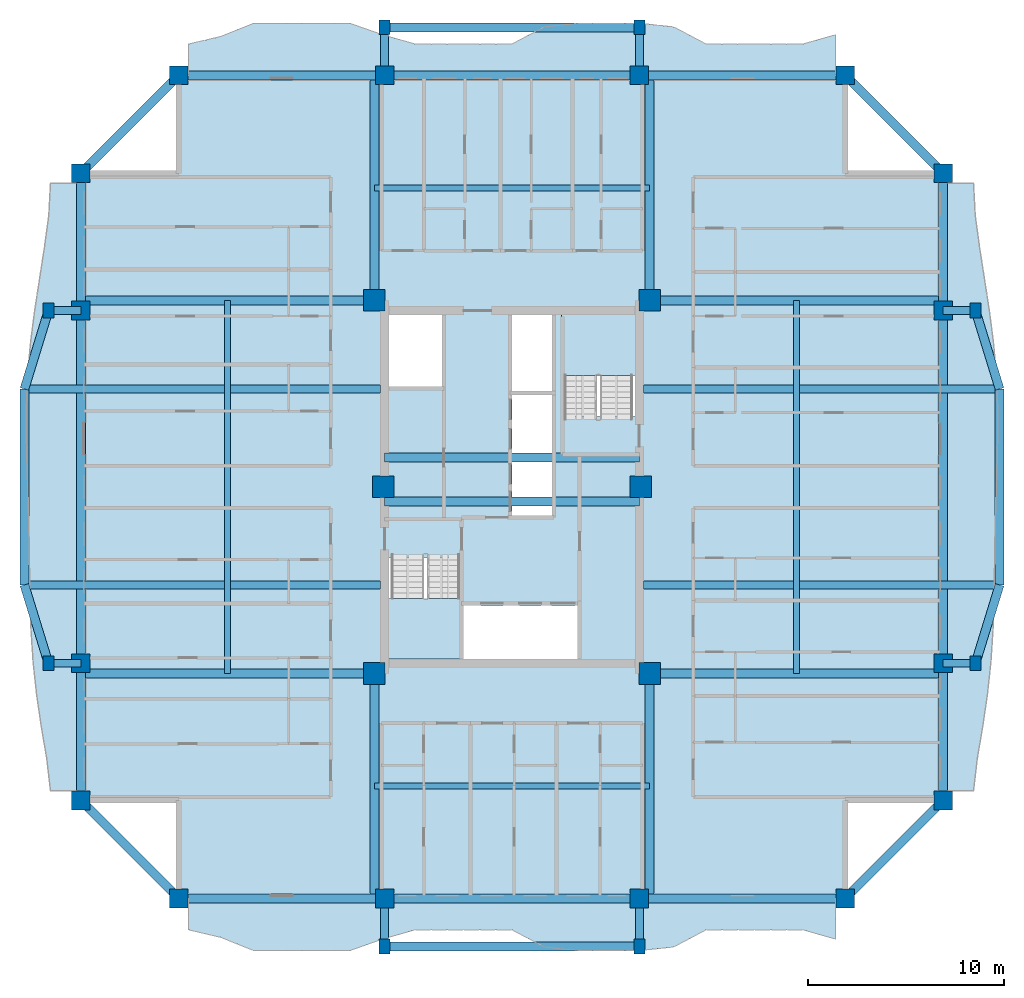
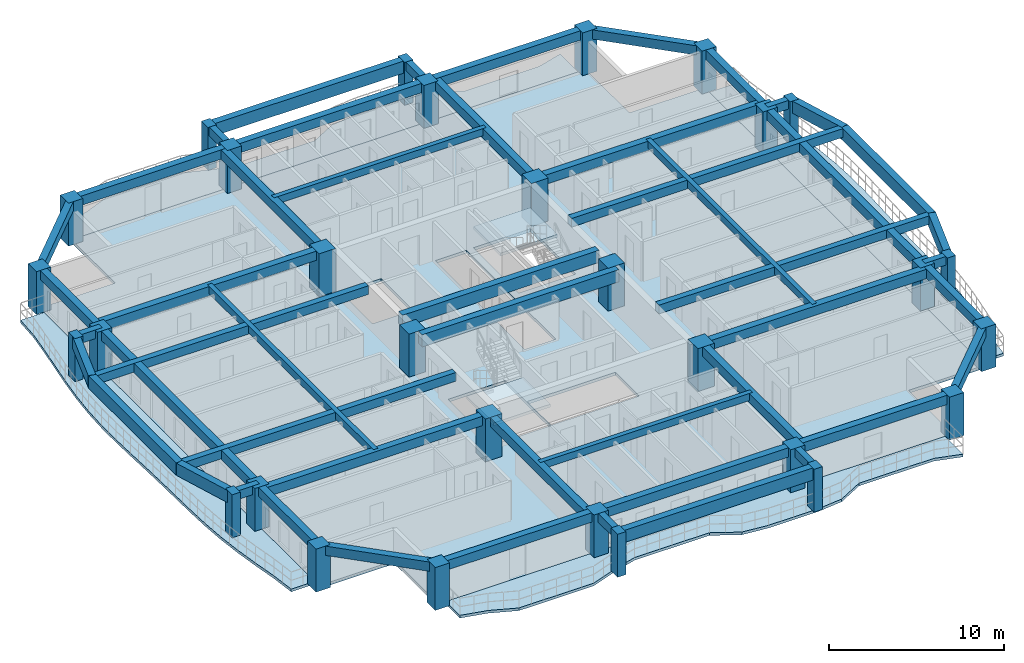
# One storey, part 1 of 15: 50 beams, 30 columns, 7 slabs, 2 elements without a shape of their own.
"""IFC4 building model written with IfcOpenShell, lengths in metres."""

import ifcopenshell
import ifcopenshell.guid

model = None  # the IFC model being written
_history = None  # IfcOwnerHistory: only IFC2X3 demands one
_inside = {}  # id of a spatial element -> (the spatial element, [elements in it])
_under = {}  # id of a project, library or spatial element -> (it, [spatial elements below it])
_declared = {}  # id of a project -> (the project, [libraries it declares])
_typed = {}  # id of a type object -> (the type object, [elements of that type])
_made_of = {}  # id of a material, layer set ... -> (it, [elements and type objects made of it])


def new_model(schema):
    """Start an empty IFC model of exactly this schema.

    Asked for "IFC4X3", IfcOpenShell would pick the latest addendum, in which some entities
    have other attributes; the version numbers below select the first issue.
    IFC2X3 requires an IfcOwnerHistory on every rooted entity: one is made here for all.
    """
    global model, _history
    if schema == "IFC4X3":
        model = ifcopenshell.file(schema_version=(4, 3, 0, 0))
    else:
        model = ifcopenshell.file(schema=schema)
    _inside.clear()
    _under.clear()
    _declared.clear()
    _typed.clear()
    _made_of.clear()
    _history = None
    if model.schema == "IFC2X3":
        org = make("IfcOrganization", Name="unknown")
        user = make(
            "IfcPersonAndOrganization",
            ThePerson=make("IfcPerson", FamilyName="unknown"),
            TheOrganization=org,
        )
        app = make(
            "IfcApplication",
            ApplicationDeveloper=org,
            Version="unknown",
            ApplicationFullName="unknown",
            ApplicationIdentifier="unknown",
        )
        _history = make(
            "IfcOwnerHistory",
            OwningUser=user,
            OwningApplication=app,
            ChangeAction="ADDED",
            CreationDate=0,
        )
    return model


def make(cls, **values):
    """One entity of the class cls with the attributes given. An attribute that is None is left unset."""
    return model.create_entity(
        cls, **{name: value for name, value in values.items() if value is not None}
    )


def rooted(cls, **values):
    """An entity with a GlobalId (a new one), such as an element, a storey or a relation."""
    return make(cls, GlobalId=ifcopenshell.guid.new(), OwnerHistory=_history, **values)


def si_unit(unit_type, name, prefix=None):
    """IfcSIUnit, for example si_unit("LENGTHUNIT", "METRE", prefix="MILLI")."""
    return make("IfcSIUnit", UnitType=unit_type, Prefix=prefix, Name=name)


def assignment(units):
    """IfcUnitAssignment: the units of a project."""
    return None if units is None else make("IfcUnitAssignment", Units=units)


def point(xyz):
    """IfcCartesianPoint."""
    return None if xyz is None else make("IfcCartesianPoint", Coordinates=xyz)


def direction(xyz):
    """IfcDirection."""
    return None if xyz is None else make("IfcDirection", DirectionRatios=xyz)


def frame(location, z_axis=None, x_axis=None):
    """IfcAxis2Placement3D, a coordinate frame: its origin and axes. An axis left out is left unset."""
    return make(
        "IfcAxis2Placement3D",
        Location=point(location),
        Axis=direction(z_axis),
        RefDirection=direction(x_axis),
    )


def frame_2d(location, x_axis=None):
    """IfcAxis2Placement2D, a coordinate frame in the plane: its origin and x axis."""
    return make(
        "IfcAxis2Placement2D", Location=point(location), RefDirection=direction(x_axis)
    )


def origin():
    """The frame at (0, 0, 0) with its axes left unset."""
    return frame((0.0, 0.0, 0.0))


def origin_2d():
    """The frame at (0, 0) in the plane with its x axis left unset."""
    return frame_2d((0.0, 0.0))


def place(relative_to, where):
    """IfcLocalPlacement: puts the frame where relative to a parent placement (None: the world)."""
    return make(
        "IfcLocalPlacement", PlacementRelTo=relative_to, RelativePlacement=where
    )


def context(
    kind, dimensions, precision=None, world=None, true_north=None, identifier=None
):
    """IfcGeometricRepresentationContext, for example the 3D "Model" context."""
    return make(
        "IfcGeometricRepresentationContext",
        ContextIdentifier=identifier,
        ContextType=kind,
        CoordinateSpaceDimension=dimensions,
        Precision=precision,
        WorldCoordinateSystem=world,
        TrueNorth=true_north,
    )


def subcontext(parent, identifier, kind, view, scale=None):
    """IfcGeometricRepresentationSubContext, for example "Body" below "Model"."""
    return make(
        "IfcGeometricRepresentationSubContext",
        ContextIdentifier=identifier,
        ContextType=kind,
        ParentContext=parent,
        TargetScale=scale,
        TargetView=view,
    )


def project(units=None, contexts=None):
    """IfcProject with its units and contexts."""
    return rooted(
        "IfcProject",
        Name="project",
        RepresentationContexts=contexts,
        UnitsInContext=assignment(units),
    )


def spatial(cls, under=None, at=None, **own):
    """A site, building, storey or space (cls), placed at a placement, below another one or the project."""
    s = rooted(cls, ObjectPlacement=at, **own)
    if under is not None:
        _under.setdefault(under.id(), (under, []))[1].append(s)
    return s


def polyline(points):
    """IfcPolyline through the points."""
    return make("IfcPolyline", Points=[point(p) for p in points])


def profile(cls, at=None, kind="AREA", **sizes):
    """A parametric profile (cls). Its sizes go by their IFC names, for example OverallWidth=200.0."""
    return make(cls, ProfileType=kind, Position=at, **sizes)


def rectangle(**sizes):
    """IfcRectangleProfileDef."""
    return profile("IfcRectangleProfileDef", **sizes)


def outline(outer, holes=None, kind="AREA"):
    """IfcArbitraryClosedProfileDef: a profile drawn as a closed curve; with holes, ...WithVoids."""
    if holes is None:
        return make("IfcArbitraryClosedProfileDef", ProfileType=kind, OuterCurve=outer)
    return make(
        "IfcArbitraryProfileDefWithVoids",
        ProfileType=kind,
        OuterCurve=outer,
        InnerCurves=holes,
    )


def extrude(swept, where, along, depth):
    """IfcExtrudedAreaSolid: the profile swept, set in the frame where, extruded along a direction by depth."""
    return make(
        "IfcExtrudedAreaSolid",
        SweptArea=swept,
        Position=where,
        ExtrudedDirection=direction(along),
        Depth=depth,
    )


def shape(context_of_items, identifier, shape_type, items):
    """IfcShapeRepresentation: the items that make up one representation, for example the "Body"."""
    return make(
        "IfcShapeRepresentation",
        ContextOfItems=context_of_items,
        RepresentationIdentifier=identifier,
        RepresentationType=shape_type,
        Items=items,
    )


def source(mapping_origin, context_of_items, identifier, shape_type, items):
    """IfcRepresentationMap: a shape defined once, which mapped items show again and again."""
    return make(
        "IfcRepresentationMap",
        MappingOrigin=mapping_origin,
        MappedRepresentation=shape(context_of_items, identifier, shape_type, items),
    )


def transform(
    local_origin,
    x_axis=None,
    y_axis=None,
    z_axis=None,
    scale=None,
    scale2=None,
    scale3=None,
    uniform=True,
):
    """IfcCartesianTransformationOperator3D, or its non-uniform kind. x_axis, y_axis, z_axis: its Axis1, 2, 3."""
    if uniform:
        return make(
            "IfcCartesianTransformationOperator3D",
            Axis1=direction(x_axis),
            Axis2=direction(y_axis),
            LocalOrigin=point(local_origin),
            Scale=scale,
            Axis3=direction(z_axis),
        )
    return make(
        "IfcCartesianTransformationOperator3DnonUniform",
        Axis1=direction(x_axis),
        Axis2=direction(y_axis),
        LocalOrigin=point(local_origin),
        Scale=scale,
        Axis3=direction(z_axis),
        Scale2=scale2,
        Scale3=scale3,
    )


def mapped(mapping_source, mapping_target):
    """IfcMappedItem: shows the shape of a source again, moved by a transform."""
    return make(
        "IfcMappedItem", MappingSource=mapping_source, MappingTarget=mapping_target
    )


def material(Name=None, Category=None):
    """IfcMaterial."""
    return make("IfcMaterial", Name=Name, Category=Category)


def layer(
    of_material, thickness, ventilated=None, Name=None, Category=None, Priority=None
):
    """IfcMaterialLayer: one layer of a wall or slab, of a material (None: an air gap)."""
    return make(
        "IfcMaterialLayer",
        Material=of_material,
        LayerThickness=thickness,
        IsVentilated=ventilated,
        Name=Name,
        Category=Category,
        Priority=Priority,
    )


def layer_set(layers, Name=None):
    """IfcMaterialLayerSet."""
    return make("IfcMaterialLayerSet", MaterialLayers=layers, LayerSetName=Name)


def material_profile(
    of_material, cross_section, Name=None, Category=None, Priority=None
):
    """IfcMaterialProfile: a cross section and its material."""
    return make(
        "IfcMaterialProfile",
        Name=Name,
        Material=of_material,
        Profile=cross_section,
        Priority=Priority,
        Category=Category,
    )


def profile_set(profiles, Name=None, composite=None):
    """IfcMaterialProfileSet."""
    return make(
        "IfcMaterialProfileSet",
        Name=Name,
        MaterialProfiles=profiles,
        CompositeProfile=composite,
    )


def made_of(thing, what):
    """Note that an element or type object is made of a material, layer set ...; save() writes the relation."""
    if what is not None:
        _made_of.setdefault(what.id(), (what, []))[1].append(thing)
    return thing


def type_object(cls, material=None, **own):
    """A type object (cls), such as IfcWallType, which elements share."""
    return made_of(rooted(cls, **own), material)


def element(
    cls,
    number,
    at=None,
    inside=None,
    cuts=None,
    type_object=None,
    material=None,
    context=None,
    identifier="Body",
    shape_type=None,
    held_by="IfcProductDefinitionShape",
    body=None,
    shapes=None,
    **own,
):
    """One element of the class cls, such as IfcWall. Its Tag is "e" and its number.

    at: its placement. inside: the storey or other place that contains it. cuts: it is an
    opening in that element (IfcRelVoidsElement). A single representation is given by context,
    identifier, shape_type and body (its items); several are given by shapes. held_by: the class
    of the entity that holds the representations. save() writes the other relations.
    """
    e = rooted(cls, Tag="e%d" % number, ObjectPlacement=at, **own)
    if body is not None:
        shapes = [shape(context, identifier, shape_type, body)]
    if shapes is not None:
        e.Representation = make(held_by, Representations=shapes)
    if inside is not None:
        _inside.setdefault(inside.id(), (inside, []))[1].append(e)
    if cuts is not None:
        rooted(
            "IfcRelVoidsElement", RelatingBuildingElement=cuts, RelatedOpeningElement=e
        )
    if type_object is not None:
        _typed.setdefault(type_object.id(), (type_object, []))[1].append(e)
    return made_of(e, material)


def aggregate(whole, parts):
    """IfcRelAggregates: a whole, such as a stair, and the parts it consists of."""
    return rooted("IfcRelAggregates", RelatingObject=whole, RelatedObjects=parts)


def save(model, path):
    """Write the relations noted so far, then the file.

    IfcRelAggregates (storeys below a building ...), IfcRelContainedInSpatialStructure (elements
    in a storey), IfcRelDefinesByType, IfcRelAssociatesMaterial and IfcRelDeclares: one each for
    every whole, place, type object, material and project.
    """
    for whole, parts in _under.values():
        aggregate(whole, parts)
    for where, things in _inside.values():
        rooted(
            "IfcRelContainedInSpatialStructure",
            RelatedElements=things,
            RelatingStructure=where,
        )
    for kind, things in _typed.values():
        rooted("IfcRelDefinesByType", RelatedObjects=things, RelatingType=kind)
    for what, things in _made_of.values():
        rooted("IfcRelAssociatesMaterial", RelatedObjects=things, RelatingMaterial=what)
    for by, libraries in _declared.values():
        rooted("IfcRelDeclares", RelatingContext=by, RelatedDefinitions=libraries)
    model.write(path)


model = new_model("IFC4")

# Units and contexts
model_context = context("Model", 3, precision=1e-05, world=origin(), true_north=direction((0.0, 1.0)))
body_context = subcontext(model_context, "Body", "Model", "MODEL_VIEW")
ifc_project = project(units=[si_unit("LENGTHUNIT", "METRE"), si_unit("AREAUNIT", "SQUARE_METRE"), si_unit("VOLUMEUNIT", "CUBIC_METRE"), si_unit("PLANEANGLEUNIT", "RADIAN"), si_unit("MASSUNIT", "GRAM", prefix="KILO")], contexts=[model_context])

# Site, building, storey
site_placement = place(None, origin())
site = spatial("IfcSite", under=ifc_project, at=site_placement, CompositionType="ELEMENT")
building_placement = place(site_placement, origin())
building = spatial("IfcBuilding", under=site, at=building_placement, Name="Saelheon Loggia Tower", CompositionType="ELEMENT")
storey_placement = place(building_placement, frame((0.0, 0.0, 163.0)))
storey = spatial("IfcBuildingStorey", under=building, at=storey_placement, Name="L51", CompositionType="ELEMENT", Elevation=163.0)

# Columns
ifc_material_1 = material(Name="Concrete C50/60", Category="concrete")
ifc_material_profile_1 = material_profile(ifc_material_1, rectangle(XDim=1.10009765625, YDim=1.10009765625, at=origin_2d()), Name="RC-1100x1100")
ifc_profile_set_1 = profile_set([ifc_material_profile_1], Name="Concrete C50/60")
column_type_1 = type_object("IfcColumnType", Name="Col_Core_RC1100", PredefinedType="COLUMN", material=ifc_profile_set_1)
shared_shape_1 = source(origin(), body_context, "Body", "SweptSolid", [
    extrude(rectangle(XDim=1.10009765625, YDim=1.10009765625, at=origin_2d()), origin(), (0.0, 0.0, 1.0), 3.0),
])
for number, where, z_axis, x_axis, name in (
    (1, (30.97998046875, 17.47998046875, 0.0), (0.0, 0.0, 1.0), (1.0, 0.0, 0.0), "L51 Core Column CR-SW"),
    (2, (45.02001953125, 17.47998046875, 0.0), (0.0, 0.0, 1.0), (1.0, 0.0, 0.0), "L51 Core Column CR-SE"),
    (3, (30.97998046875, 36.52001953125, 0.0), (0.0, 0.0, 1.0), (1.0, 0.0, 0.0), "L51 Core Column CR-NW"),
    (4, (45.02001953125, 36.52001953125, 0.0), (0.0, 0.0, 1.0), (1.0, 0.0, 0.0), "L51 Core Column CR-NE"),
    (5, (31.419921875, 27.0, 0.0), (0.0, 0.0, 1.0), (1.0, 0.0, 0.0), "L51 Core Column CR-MW"),
    (6, (44.580078125, 27.0, 0.0), (0.0, 0.0, 1.0), (1.0, 0.0, 0.0), "L51 Core Column CR-ME"),
):
    element("IfcColumn", number, at=place(storey_placement, frame(where, z_axis=z_axis, x_axis=x_axis)), inside=storey, type_object=column_type_1, Name=name, PredefinedType="COLUMN", context=body_context, shape_type="MappedRepresentation", body=[
        mapped(shared_shape_1, transform((0.0, 0.0, 0.0), scale=1.0)),
    ])
ifc_material_2 = material(Name="Precast Concrete C45/55", Category="concrete")
ifc_material_profile_2 = material_profile(ifc_material_2, rectangle(XDim=0.550048828125, YDim=0.75, at=origin_2d()), Name="RC-550x750")
ifc_profile_set_2 = profile_set([ifc_material_profile_2], Name="Precast Concrete C45/55")
column_type_2 = type_object("IfcColumnType", Name="Col_Loggia_Pilaster_750", PredefinedType="PILASTER", material=ifc_profile_set_2)
shared_shape_2 = source(origin(), body_context, "Body", "SweptSolid", [
    extrude(rectangle(XDim=0.550048828125, YDim=0.75, at=origin_2d()), origin(), (0.0, 0.0, 1.0), 3.0),
])
for number, where, z_axis, x_axis, name in (
    (7, (31.5, 3.550048828125, 0.0), (0.0, 0.0, 1.0), (1.0, 0.0, 0.0), "L51 Loggia Frame Pilaster LP-S1"),
    (8, (44.5, 3.550048828125, 0.0), (0.0, 0.0, 1.0), (1.0, 0.0, 0.0), "L51 Loggia Frame Pilaster LP-S2"),
    (9, (31.5, 50.449951171875, 0.0), (0.0, 0.0, 1.0), (1.0, 0.0, 0.0), "L51 Loggia Frame Pilaster LP-N1"),
    (10, (44.5, 50.449951171875, 0.0), (0.0, 0.0, 1.0), (1.0, 0.0, 0.0), "L51 Loggia Frame Pilaster LP-N2"),
    (11, (61.64990234375, 18.0, 0.0), (0.0, 0.0, 1.0), (1.0, 0.0, 0.0), "L51 Loggia Frame Pilaster LP-E1"),
    (12, (61.64990234375, 36.0, 0.0), (0.0, 0.0, 1.0), (1.0, 0.0, 0.0), "L51 Loggia Frame Pilaster LP-E2"),
    (13, (14.35009765625, 18.0, 0.0), (0.0, 0.0, 1.0), (1.0, 0.0, 0.0), "L51 Loggia Frame Pilaster LP-W1"),
    (14, (14.35009765625, 36.0, 0.0), (0.0, 0.0, 1.0), (1.0, 0.0, 0.0), "L51 Loggia Frame Pilaster LP-W2"),
):
    element("IfcColumn", number, at=place(storey_placement, frame(where, z_axis=z_axis, x_axis=x_axis)), inside=storey, type_object=column_type_2, Name=name, PredefinedType="PILASTER", context=body_context, shape_type="MappedRepresentation", body=[
        mapped(shared_shape_2, transform((0.0, 0.0, 0.0), scale=1.0)),
    ])
ifc_material_profile_3 = material_profile(ifc_material_1, rectangle(XDim=0.949951171875, YDim=0.949951171875, at=origin_2d()), Name="RC-950x950")
ifc_profile_set_3 = profile_set([ifc_material_profile_3], Name="Concrete C50/60")
column_type_3 = type_object("IfcColumnType", Name="Col_Perim_RC950", PredefinedType="COLUMN", material=ifc_profile_set_3)
shared_shape_3 = source(origin(), body_context, "Body", "SweptSolid", [
    extrude(rectangle(XDim=0.949951171875, YDim=0.949951171875, at=origin_2d()), origin(), (0.0, 0.0, 1.0), 3.0),
])
for number, where, z_axis, x_axis, name in (
    (15, (21.0, 6.0, 0.0), (0.0, 0.0, 1.0), (1.0, 0.0, 0.0), "L51 Perimeter Column TP-S1"),
    (16, (31.5, 6.0, 0.0), (0.0, 0.0, 1.0), (1.0, 0.0, 0.0), "L51 Perimeter Column TP-SA"),
    (17, (44.5, 6.0, 0.0), (0.0, 0.0, 1.0), (1.0, 0.0, 0.0), "L51 Perimeter Column TP-SB"),
    (18, (55.0, 6.0, 0.0), (0.0, 0.0, 1.0), (1.0, 0.0, 0.0), "L51 Perimeter Column TP-S2"),
    (19, (60.0, 11.0, 0.0), (0.0, 0.0, 1.0), (1.0, 0.0, 0.0), "L51 Perimeter Column TP-E1"),
    (20, (60.0, 18.0, 0.0), (0.0, 0.0, 1.0), (1.0, 0.0, 0.0), "L51 Perimeter Column TP-EA"),
    (21, (60.0, 36.0, 0.0), (0.0, 0.0, 1.0), (1.0, 0.0, 0.0), "L51 Perimeter Column TP-EB"),
    (22, (60.0, 43.0, 0.0), (0.0, 0.0, 1.0), (1.0, 0.0, 0.0), "L51 Perimeter Column TP-E2"),
    (23, (55.0, 48.0, 0.0), (0.0, 0.0, 1.0), (1.0, 0.0, 0.0), "L51 Perimeter Column TP-N2"),
    (24, (44.5, 48.0, 0.0), (0.0, 0.0, 1.0), (1.0, 0.0, 0.0), "L51 Perimeter Column TP-NB"),
    (25, (31.5, 48.0, 0.0), (0.0, 0.0, 1.0), (1.0, 0.0, 0.0), "L51 Perimeter Column TP-NA"),
    (26, (21.0, 48.0, 0.0), (0.0, 0.0, 1.0), (1.0, 0.0, 0.0), "L51 Perimeter Column TP-N1"),
    (27, (16.0, 43.0, 0.0), (0.0, 0.0, 1.0), (1.0, 0.0, 0.0), "L51 Perimeter Column TP-W2"),
    (28, (16.0, 36.0, 0.0), (0.0, 0.0, 1.0), (1.0, 0.0, 0.0), "L51 Perimeter Column TP-WB"),
    (29, (16.0, 18.0, 0.0), (0.0, 0.0, 1.0), (1.0, 0.0, 0.0), "L51 Perimeter Column TP-WA"),
    (30, (16.0, 11.0, 0.0), (0.0, 0.0, 1.0), (1.0, 0.0, 0.0), "L51 Perimeter Column TP-W1"),
):
    element("IfcColumn", number, at=place(storey_placement, frame(where, z_axis=z_axis, x_axis=x_axis)), inside=storey, type_object=column_type_3, Name=name, PredefinedType="COLUMN", context=body_context, shape_type="MappedRepresentation", body=[
        mapped(shared_shape_3, transform((0.0, 0.0, 0.0), scale=1.0)),
    ])

# Beams
ifc_material_profile_4 = material_profile(ifc_material_1, rectangle(XDim=0.449951171875, YDim=0.85009765625, at=origin_2d()), Name="RC-450x850")
ifc_profile_set_4 = profile_set([ifc_material_profile_4], Name="Concrete C50/60")
beam_type_1 = type_object("IfcBeamType", Name="Beam_CoreLintel_RC450x850", PredefinedType="LINTEL", material=ifc_profile_set_4)
shared_shape_4 = source(origin(), body_context, "Body", "SweptSolid", [
    extrude(rectangle(XDim=0.449951171875, YDim=0.85009765625, at=origin_2d()), origin(), (0.0, 0.0, 1.0), 13.0),
])
for number, where, z_axis, x_axis, name in (
    (31, (31.5, 26.25, 2.574951171875), (1.0, 0.0, 0.0), (0.0, 1.0, 0.0), "L51 Core Coupling Lintel 1"),
    (32, (31.5, 28.5, 2.574951171875), (1.0, 0.0, 0.0), (0.0, 1.0, 0.0), "L51 Core Coupling Lintel 2"),
):
    element("IfcBeam", number, at=place(storey_placement, frame(where, z_axis=z_axis, x_axis=x_axis)), inside=storey, type_object=beam_type_1, Name=name, PredefinedType="LINTEL", context=body_context, shape_type="MappedRepresentation", body=[
        mapped(shared_shape_4, transform((0.0, 0.0, 0.0), scale=1.0)),
    ])
ifc_material_profile_5 = material_profile(ifc_material_2, rectangle(XDim=0.449951171875, YDim=0.85009765625, at=origin_2d()), Name="RC-450x850")
ifc_profile_set_5 = profile_set([ifc_material_profile_5], Name="Precast Concrete C45/55")
beam_type_2 = type_object("IfcBeamType", Name="Beam_LoggiaSpandrel_RC450x850", PredefinedType="SPANDREL", material=ifc_profile_set_5)
for number, where, z_axis, x_axis, name in (
    (33, (31.5, 3.550048828125, 2.574951171875), (1.0, 0.0, 0.0), (0.0, 1.0, 0.0), "L51 Loggia Spandrel Beam S"),
    (34, (31.5, 50.449951171875, 2.574951171875), (1.0, 0.0, 0.0), (0.0, 1.0, 0.0), "L51 Loggia Spandrel Beam N"),
):
    element("IfcBeam", number, at=place(storey_placement, frame(where, z_axis=z_axis, x_axis=x_axis)), inside=storey, type_object=beam_type_2, Name=name, PredefinedType="SPANDREL", context=body_context, shape_type="MappedRepresentation", body=[
        mapped(shared_shape_4, transform((0.0, 0.0, 0.0), scale=1.0)),
    ])
ifc_material_profile_6 = material_profile(ifc_material_2, rectangle(XDim=0.39990234375, YDim=0.60009765625, at=origin_2d()), Name="RC-400x600")
ifc_profile_set_6 = profile_set([ifc_material_profile_6], Name="Precast Concrete C45/55")
beam_type_3 = type_object("IfcBeamType", Name="Beam_LoggiaTie_RC400x600", PredefinedType="BEAM", material=ifc_profile_set_6)
shared_shape_5 = source(origin(), body_context, "Body", "SweptSolid", [
    extrude(rectangle(XDim=0.39990234375, YDim=0.60009765625, at=origin_2d()), origin(), (0.0, 0.0, 1.0), 2.449951171875),
])
for number, where, z_axis, x_axis, name in (
    (35, (31.5, 6.0, 2.699951171875), (0.0, -1.0, 0.0), (1.0, 0.0, 0.0), "L51 Loggia Frame Tie Beam LP-S1"),
    (36, (44.5, 6.0, 2.699951171875), (0.0, -1.0, 0.0), (1.0, 0.0, 0.0), "L51 Loggia Frame Tie Beam LP-S2"),
    (37, (31.5, 48.0, 2.699951171875), (0.0, 1.0, 0.0), (-1.0, 0.0, 0.0), "L51 Loggia Frame Tie Beam LP-N1"),
    (38, (44.5, 48.0, 2.699951171875), (0.0, 1.0, 0.0), (-1.0, 0.0, 0.0), "L51 Loggia Frame Tie Beam LP-N2"),
):
    element("IfcBeam", number, at=place(storey_placement, frame(where, z_axis=z_axis, x_axis=x_axis)), inside=storey, type_object=beam_type_3, Name=name, PredefinedType="BEAM", context=body_context, shape_type="MappedRepresentation", body=[
        mapped(shared_shape_5, transform((0.0, 0.0, 0.0), scale=1.0)),
    ])
ifc_material_3 = material(Name="Concrete C40/50", Category="concrete")
ifc_material_profile_7 = material_profile(ifc_material_3, rectangle(XDim=0.449951171875, YDim=0.64990234375, at=origin_2d()), Name="RC-450x650")
ifc_profile_set_7 = profile_set([ifc_material_profile_7], Name="Concrete C40/50")
beam_type_4 = type_object("IfcBeamType", Name="Beam_PerimTower_RC450x650", PredefinedType="BEAM", material=ifc_profile_set_7)
shared_shape_6 = source(origin(), body_context, "Body", "SweptSolid", [
    extrude(rectangle(XDim=0.449951171875, YDim=0.64990234375, at=origin_2d()), origin(), (0.0, 0.0, 1.0), 13.0),
])
for number, where, z_axis, x_axis, name in (
    (39, (31.5, 6.0, 2.675048828125), (1.0, 0.0, 0.0), (0.0, 1.0, 0.0), "L51 Perimeter Frame Girder 02"),
    (40, (44.5, 48.0, 2.675048828125), (-1.0, 0.0, 0.0), (0.0, -1.0, 0.0), "L51 Perimeter Frame Girder 10"),
):
    element("IfcBeam", number, at=place(storey_placement, frame(where, z_axis=z_axis, x_axis=x_axis)), inside=storey, type_object=beam_type_4, Name=name, PredefinedType="BEAM", context=body_context, shape_type="MappedRepresentation", body=[
        mapped(shared_shape_6, transform((0.0, 0.0, 0.0), scale=1.0)),
    ])
shared_shape_7 = source(origin(), body_context, "Body", "SweptSolid", [
    extrude(rectangle(XDim=0.449951171875, YDim=0.64990234375, at=origin_2d()), origin(), (0.0, 0.0, 1.0), 18.0),
])
for number, where, z_axis, x_axis, name in (
    (41, (60.0, 18.0, 2.675048828125), (0.0, 1.0, 0.0), (-1.0, 0.0, 0.0), "L51 Perimeter Frame Girder 06"),
    (42, (16.0, 36.0, 2.675048828125), (0.0, -1.0, 0.0), (1.0, 0.0, 0.0), "L51 Perimeter Frame Girder 14"),
):
    element("IfcBeam", number, at=place(storey_placement, frame(where, z_axis=z_axis, x_axis=x_axis)), inside=storey, type_object=beam_type_4, Name=name, PredefinedType="BEAM", context=body_context, shape_type="MappedRepresentation", body=[
        mapped(shared_shape_7, transform((0.0, 0.0, 0.0), scale=1.0)),
    ])
ifc_material_profile_8 = material_profile(ifc_material_3, rectangle(XDim=0.300048828125, YDim=0.5, at=origin_2d()), Name="RC-300x500")
ifc_profile_set_8 = profile_set([ifc_material_profile_8], Name="Concrete C40/50")
beam_type_5 = type_object("IfcBeamType", Name="Beam_Joist_RC300x500", PredefinedType="JOIST", material=ifc_profile_set_8)
shared_shape_8 = source(origin(), body_context, "Body", "SweptSolid", [
    extrude(rectangle(XDim=0.300048828125, YDim=0.5, at=origin_2d()), origin(), (0.0, 0.0, 1.0), 14.0400390625),
])
for number, where, z_axis, x_axis, name in (
    (43, (30.97998046875, 11.739990234375, 2.75), (1.0, 0.0, 0.0), (0.0, 1.0, 0.0), "L51 South Floor Joist"),
    (44, (30.97998046875, 42.260009765625, 2.75), (1.0, 0.0, 0.0), (0.0, 1.0, 0.0), "L51 North Floor Joist"),
):
    element("IfcBeam", number, at=place(storey_placement, frame(where, z_axis=z_axis, x_axis=x_axis)), inside=storey, type_object=beam_type_5, Name=name, PredefinedType="JOIST", context=body_context, shape_type="MappedRepresentation", body=[
        mapped(shared_shape_8, transform((0.0, 0.0, 0.0), scale=1.0)),
    ])
shared_shape_9 = source(origin(), body_context, "Body", "SweptSolid", [
    extrude(rectangle(XDim=0.300048828125, YDim=0.5, at=origin_2d()), origin(), (0.0, 0.0, 1.0), 19.0400390625),
])
for number, where, z_axis, x_axis, name in (
    (45, (23.489990234375, 17.47998046875, 2.75), (0.0, 1.0, 0.0), (-1.0, 0.0, 0.0), "L51 West Floor Joist"),
    (46, (52.510009765625, 17.47998046875, 2.75), (0.0, 1.0, 0.0), (-1.0, 0.0, 0.0), "L51 East Floor Joist"),
):
    element("IfcBeam", number, at=place(storey_placement, frame(where, z_axis=z_axis, x_axis=x_axis)), inside=storey, type_object=beam_type_5, Name=name, PredefinedType="JOIST", context=body_context, shape_type="MappedRepresentation", body=[
        mapped(shared_shape_9, transform((0.0, 0.0, 0.0), scale=1.0)),
    ])
shared_shape_10 = source(origin(), body_context, "Body", "SweptSolid", [
    extrude(rectangle(XDim=0.449951171875, YDim=0.64990234375, at=origin_2d()), origin(), (0.0, 0.0, 1.0), 10.5),
])
for number, where, z_axis, x_axis, name in (
    (47, (21.0, 6.0, 2.675048828125), (1.0, 0.0, 0.0), (0.0, 1.0, 0.0), "L51 Perimeter Frame Girder 01"),
    (48, (44.5, 6.0, 2.675048828125), (1.0, 0.0, 0.0), (0.0, 1.0, 0.0), "L51 Perimeter Frame Girder 03"),
    (49, (55.0, 48.0, 2.675048828125), (-1.0, 0.0, 0.0), (0.0, -1.0, 0.0), "L51 Perimeter Frame Girder 09"),
    (50, (31.5, 48.0, 2.675048828125), (-1.0, 0.0, 0.0), (0.0, -1.0, 0.0), "L51 Perimeter Frame Girder 11"),
):
    element("IfcBeam", number, at=place(storey_placement, frame(where, z_axis=z_axis, x_axis=x_axis)), inside=storey, type_object=beam_type_4, Name=name, PredefinedType="BEAM", context=body_context, shape_type="MappedRepresentation", body=[
        mapped(shared_shape_10, transform((0.0, 0.0, 0.0), scale=1.0)),
    ])
shared_shape_11 = source(origin(), body_context, "Body", "SweptSolid", [
    extrude(rectangle(XDim=0.449951171875, YDim=0.64990234375, at=origin_2d()), origin(), (0.0, 0.0, 1.0), 7.071044921875),
])
for number, where, z_axis, x_axis, name in (
    (51, (55.0, 6.0, 2.675048828125), (0.707106781187, 0.707106781187, 0.0), (-0.707106781187, 0.707106781187, 0.0), "L51 Perimeter Frame Girder 04"),
    (52, (60.0, 43.0, 2.675048828125), (-0.707106781187, 0.707106781187, 0.0), (-0.707106781187, -0.707106781187, 0.0), "L51 Perimeter Frame Girder 08"),
    (53, (21.0, 48.0, 2.675048828125), (-0.707106781187, -0.707106781187, 0.0), (0.707106781187, -0.707106781187, 0.0), "L51 Perimeter Frame Girder 12"),
    (54, (16.0, 11.0, 2.675048828125), (0.707106781187, -0.707106781187, 0.0), (0.707106781187, 0.707106781187, 0.0), "L51 Perimeter Frame Girder 16"),
):
    element("IfcBeam", number, at=place(storey_placement, frame(where, z_axis=z_axis, x_axis=x_axis)), inside=storey, type_object=beam_type_4, Name=name, PredefinedType="BEAM", context=body_context, shape_type="MappedRepresentation", body=[
        mapped(shared_shape_11, transform((0.0, 0.0, 0.0), scale=1.0)),
    ])
shared_shape_12 = source(origin(), body_context, "Body", "SweptSolid", [
    extrude(rectangle(XDim=0.449951171875, YDim=0.64990234375, at=origin_2d()), origin(), (0.0, 0.0, 1.0), 7.0),
])
for number, where, z_axis, x_axis, name in (
    (55, (60.0, 11.0, 2.675048828125), (0.0, 1.0, 0.0), (-1.0, 0.0, 0.0), "L51 Perimeter Frame Girder 05"),
    (56, (60.0, 36.0, 2.675048828125), (0.0, 1.0, 0.0), (-1.0, 0.0, 0.0), "L51 Perimeter Frame Girder 07"),
    (57, (16.0, 43.0, 2.675048828125), (0.0, -1.0, 0.0), (1.0, 0.0, 0.0), "L51 Perimeter Frame Girder 13"),
    (58, (16.0, 18.0, 2.675048828125), (0.0, -1.0, 0.0), (1.0, 0.0, 0.0), "L51 Perimeter Frame Girder 15"),
):
    element("IfcBeam", number, at=place(storey_placement, frame(where, z_axis=z_axis, x_axis=x_axis)), inside=storey, type_object=beam_type_4, Name=name, PredefinedType="BEAM", context=body_context, shape_type="MappedRepresentation", body=[
        mapped(shared_shape_12, transform((0.0, 0.0, 0.0), scale=1.0)),
    ])
ifc_material_profile_9 = material_profile(ifc_material_3, rectangle(XDim=0.449951171875, YDim=0.64990234375, at=origin_2d()), Name="RC-450x650")
ifc_profile_set_9 = profile_set([ifc_material_profile_9], Name="Concrete C40/50")
beam_type_6 = type_object("IfcBeamType", Name="Beam_TowerGirder_RC450x650", PredefinedType="BEAM", material=ifc_profile_set_9)
shared_shape_13 = source(origin(), body_context, "Body", "SweptSolid", [
    extrude(rectangle(XDim=0.449951171875, YDim=0.64990234375, at=origin_2d()), origin(), (0.0, 0.0, 1.0), 11.47998046875),
])
for number, where, z_axis, x_axis, name in (
    (59, (30.97998046875, 17.47998046875, 2.675048828125), (0.0, -1.0, 0.0), (1.0, 0.0, 0.0), "L51 Radial Floor Girder RAD-SW-S"),
    (60, (45.02001953125, 17.47998046875, 2.675048828125), (0.0, -1.0, 0.0), (1.0, 0.0, 0.0), "L51 Radial Floor Girder RAD-SE-S"),
    (61, (30.97998046875, 36.52001953125, 2.675048828125), (0.0, 1.0, 0.0), (-1.0, 0.0, 0.0), "L51 Radial Floor Girder RAD-NW-N"),
    (62, (45.02001953125, 36.52001953125, 2.675048828125), (0.0, 1.0, 0.0), (-1.0, 0.0, 0.0), "L51 Radial Floor Girder RAD-NE-N"),
):
    element("IfcBeam", number, at=place(storey_placement, frame(where, z_axis=z_axis, x_axis=x_axis)), inside=storey, type_object=beam_type_6, Name=name, PredefinedType="BEAM", context=body_context, shape_type="MappedRepresentation", body=[
        mapped(shared_shape_13, transform((0.0, 0.0, 0.0), scale=1.0)),
    ])
shared_shape_14 = source(origin(), body_context, "Body", "SweptSolid", [
    extrude(rectangle(XDim=0.449951171875, YDim=0.64990234375, at=origin_2d()), origin(), (0.0, 0.0, 1.0), 14.97998046875),
])
for number, where, z_axis, x_axis, name in (
    (63, (30.97998046875, 17.47998046875, 2.675048828125), (-1.0, 0.0, 0.0), (0.0, -1.0, 0.0), "L51 Radial Floor Girder RAD-SW-W"),
    (64, (30.97998046875, 36.52001953125, 2.675048828125), (-1.0, 0.0, 0.0), (0.0, -1.0, 0.0), "L51 Radial Floor Girder RAD-NW-W"),
    (65, (45.02001953125, 17.47998046875, 2.675048828125), (1.0, 0.0, 0.0), (0.0, 1.0, 0.0), "L51 Radial Floor Girder RAD-SE-E"),
    (66, (45.02001953125, 36.52001953125, 2.675048828125), (1.0, 0.0, 0.0), (0.0, 1.0, 0.0), "L51 Radial Floor Girder RAD-NE-E"),
):
    element("IfcBeam", number, at=place(storey_placement, frame(where, z_axis=z_axis, x_axis=x_axis)), inside=storey, type_object=beam_type_6, Name=name, PredefinedType="BEAM", context=body_context, shape_type="MappedRepresentation", body=[
        mapped(shared_shape_14, transform((0.0, 0.0, 0.0), scale=1.0)),
    ])
shared_shape_15 = source(origin(), body_context, "Body", "SweptSolid", [
    extrude(rectangle(XDim=0.39990234375, YDim=0.60009765625, at=origin_2d()), origin(), (0.0, 0.0, 1.0), 1.64990234375),
])
for number, where, z_axis, x_axis, name in (
    (67, (60.0, 18.0, 2.699951171875), (1.0, 0.0, 0.0), (0.0, 1.0, 0.0), "L51 Loggia Frame Tie Beam LP-E1"),
    (68, (60.0, 36.0, 2.699951171875), (1.0, 0.0, 0.0), (0.0, 1.0, 0.0), "L51 Loggia Frame Tie Beam LP-E2"),
    (69, (16.0, 18.0, 2.699951171875), (-1.0, 0.0, 0.0), (0.0, -1.0, 0.0), "L51 Loggia Frame Tie Beam LP-W1"),
    (70, (16.0, 36.0, 2.699951171875), (-1.0, 0.0, 0.0), (0.0, -1.0, 0.0), "L51 Loggia Frame Tie Beam LP-W2"),
):
    element("IfcBeam", number, at=place(storey_placement, frame(where, z_axis=z_axis, x_axis=x_axis)), inside=storey, type_object=beam_type_3, Name=name, PredefinedType="BEAM", context=body_context, shape_type="MappedRepresentation", body=[
        mapped(shared_shape_15, transform((0.0, 0.0, 0.0), scale=1.0)),
    ])
shared_shape_16 = source(origin(), body_context, "Body", "SweptSolid", [
    extrude(rectangle(XDim=0.39990234375, YDim=0.60009765625, at=origin_2d()), origin(), (0.0, 0.0, 1.0), 18.159912109375),
])
for number, where, z_axis, x_axis, name in (
    (71, (44.719970703125, 22.0, 2.699951171875), (1.0, 0.0, 0.0), (0.0, 1.0, 0.0), "L51 Curved Facade Outrigger Beam E 1"),
    (72, (44.719970703125, 32.0, 2.699951171875), (1.0, 0.0, 0.0), (0.0, 1.0, 0.0), "L51 Curved Facade Outrigger Beam E 2"),
    (73, (31.280029296875, 22.0, 2.699951171875), (-1.0, 0.0, 0.0), (0.0, -1.0, 0.0), "L51 Curved Facade Outrigger Beam W 1"),
    (74, (31.280029296875, 32.0, 2.699951171875), (-1.0, 0.0, 0.0), (0.0, -1.0, 0.0), "L51 Curved Facade Outrigger Beam W 2"),
):
    element("IfcBeam", number, at=place(storey_placement, frame(where, z_axis=z_axis, x_axis=x_axis)), inside=storey, type_object=beam_type_3, Name=name, PredefinedType="BEAM", context=body_context, shape_type="MappedRepresentation", body=[
        mapped(shared_shape_16, transform((0.0, 0.0, 0.0), scale=1.0)),
    ])
shared_shape_17 = source(origin(), body_context, "Body", "SweptSolid", [
    extrude(rectangle(XDim=0.449951171875, YDim=0.85009765625, at=origin_2d()), origin(), (0.0, 0.0, 1.0), 4.184814453125),
])
for number, where, z_axis, x_axis, name in (
    (75, (61.64990234375, 18.0, 2.574951171875), (0.293913664135, 0.955831971653, 0.0), (-0.955831971653, 0.293913664135, 0.0), "L51 Curved Loggia Spandrel E 1"),
    (76, (62.8798828125, 32.0, 2.574951171875), (-0.293913664135, 0.955831971653, 0.0), (-0.955831971653, -0.293913664135, 0.0), "L51 Curved Loggia Spandrel E 3"),
    (77, (14.35009765625, 18.0, 2.574951171875), (-0.293913664135, 0.955831971653, 0.0), (-0.955831971653, -0.293913664135, 0.0), "L51 Curved Loggia Spandrel W 1"),
    (78, (13.1201171875, 32.0, 2.574951171875), (0.293913664135, 0.955831971653, 0.0), (-0.955831971653, 0.293913664135, 0.0), "L51 Curved Loggia Spandrel W 3"),
):
    element("IfcBeam", number, at=place(storey_placement, frame(where, z_axis=z_axis, x_axis=x_axis)), inside=storey, type_object=beam_type_2, Name=name, PredefinedType="SPANDREL", context=body_context, shape_type="MappedRepresentation", body=[
        mapped(shared_shape_17, transform((0.0, 0.0, 0.0), scale=1.0)),
    ])
shared_shape_18 = source(origin(), body_context, "Body", "SweptSolid", [
    extrude(rectangle(XDim=0.449951171875, YDim=0.85009765625, at=origin_2d()), origin(), (0.0, 0.0, 1.0), 10.0),
])
for number, where, z_axis, x_axis, name in (
    (79, (62.8798828125, 22.0, 2.574951171875), (0.0, 1.0, 0.0), (-1.0, 0.0, 0.0), "L51 Curved Loggia Spandrel E 2"),
    (80, (13.1201171875, 22.0, 2.574951171875), (0.0, 1.0, 0.0), (-1.0, 0.0, 0.0), "L51 Curved Loggia Spandrel W 2"),
):
    element("IfcBeam", number, at=place(storey_placement, frame(where, z_axis=z_axis, x_axis=x_axis)), inside=storey, type_object=beam_type_2, Name=name, PredefinedType="SPANDREL", context=body_context, shape_type="MappedRepresentation", body=[
        mapped(shared_shape_18, transform((0.0, 0.0, 0.0), scale=1.0)),
    ])

# Slabs
ifc_layer_1 = layer(ifc_material_2, 0.18994140625)
ifc_layer_set_1 = layer_set([ifc_layer_1], Name="Precast Concrete C45/55")
slab_type_1 = type_object("IfcSlabType", Name="Slab_Loggia_Ext_190", PredefinedType="FLOOR", material=ifc_layer_set_1)
slab_1_placement = place(storey_placement, frame((0.0, 0.0, -0.18994140625)))
element("IfcSlab", 81, at=slab_1_placement, inside=storey, type_object=slab_type_1, Name="L51 Loggia Balcony Slab S", PredefinedType="FLOOR", context=body_context, shape_type="SweptSolid", body=[
    extrude(outline(polyline([(21.5, 4.39990234375), (23.14990234375, 4.0126953125), (24.800048828125, 3.35009765625), (26.449951171875, 3.35009765625), (28.10009765625, 3.35009765625), (29.75, 3.35009765625), (31.39990234375, 3.931396484375), (33.050048828125, 4.39990234375), (34.699951171875, 4.39990234375), (36.35009765625, 4.39990234375), (38.0, 4.39990234375), (39.64990234375, 3.52685546875), (41.300048828125, 3.35009765625), (42.949951171875, 3.35009765625), (44.60009765625, 3.35009765625), (46.25, 3.52685546875), (47.89990234375, 4.39990234375), (49.550048828125, 4.39990234375), (51.199951171875, 4.39990234375), (52.85009765625, 4.39990234375), (54.5, 3.931396484375), (54.5, 6.0), (21.5, 6.0), (21.5, 4.39990234375)])), origin(), (0.0, 0.0, 1.0), 0.18994140625),
])
slab_2_placement = place(storey_placement, frame((0.0, 0.0, -0.18994140625)))
element("IfcSlab", 82, at=slab_2_placement, inside=storey, type_object=slab_type_1, Name="L51 Loggia Balcony Slab N", PredefinedType="FLOOR", context=body_context, shape_type="SweptSolid", body=[
    extrude(outline(polyline([(21.5, 48.0), (54.5, 48.0), (54.5, 50.068603515625), (52.85009765625, 49.60009765625), (51.199951171875, 49.60009765625), (49.550048828125, 49.60009765625), (47.89990234375, 49.60009765625), (46.25, 50.47314453125), (44.60009765625, 50.64990234375), (42.949951171875, 50.64990234375), (41.300048828125, 50.64990234375), (39.64990234375, 50.47314453125), (38.0, 49.60009765625), (36.35009765625, 49.60009765625), (34.699951171875, 49.60009765625), (33.050048828125, 49.60009765625), (31.39990234375, 50.068603515625), (29.75, 50.64990234375), (28.10009765625, 50.64990234375), (26.449951171875, 50.64990234375), (24.800048828125, 50.64990234375), (23.14990234375, 49.9873046875), (21.5, 49.60009765625), (21.5, 48.0)])), origin(), (0.0, 0.0, 1.0), 0.18994140625),
])
slab_3_placement = place(storey_placement, frame((0.0, 0.0, -0.18994140625)))
element("IfcSlab", 83, at=slab_3_placement, inside=storey, type_object=slab_type_1, Name="L51 Loggia Balcony Slab E", PredefinedType="FLOOR", context=body_context, shape_type="SweptSolid", body=[
    extrude(outline(polyline([(60.0, 11.5), (61.550048828125, 11.5), (61.740478515625, 13.131591796875), (62.016357421875, 14.76318359375), (62.256103515625, 16.394775390625), (62.433349609375, 18.0263671875), (62.54150390625, 19.657958984375), (62.594482421875, 21.28955078125), (62.619873046875, 22.921142578125), (62.645263671875, 24.552490234375), (62.68603515625, 26.18408203125), (62.738525390625, 27.81591796875), (62.781005859375, 29.447509765625), (62.7822265625, 31.078857421875), (62.7158203125, 32.71044921875), (62.5712890625, 34.342041015625), (62.359130859375, 35.9736328125), (62.10888671875, 37.605224609375), (61.857421875, 39.23681640625), (61.635986328125, 40.868408203125), (61.550048828125, 42.5), (60.0, 42.5), (60.0, 11.5)])), origin(), (0.0, 0.0, 1.0), 0.18994140625),
])
slab_4_placement = place(storey_placement, frame((0.0, 0.0, -0.18994140625)))
element("IfcSlab", 84, at=slab_4_placement, inside=storey, type_object=slab_type_1, Name="L51 Loggia Balcony Slab W", PredefinedType="FLOOR", context=body_context, shape_type="SweptSolid", body=[
    extrude(outline(polyline([(16.0, 11.5), (16.0, 42.5), (14.449951171875, 42.5), (14.364013671875, 40.868408203125), (14.142578125, 39.23681640625), (13.89111328125, 37.605224609375), (13.640869140625, 35.9736328125), (13.4287109375, 34.342041015625), (13.2841796875, 32.71044921875), (13.2177734375, 31.078857421875), (13.218994140625, 29.447509765625), (13.261474609375, 27.81591796875), (13.31396484375, 26.18408203125), (13.354736328125, 24.552490234375), (13.380126953125, 22.921142578125), (13.405517578125, 21.28955078125), (13.45849609375, 19.657958984375), (13.566650390625, 18.0263671875), (13.743896484375, 16.394775390625), (13.983642578125, 14.76318359375), (14.259521484375, 13.131591796875), (14.449951171875, 11.5), (16.0, 11.5)])), origin(), (0.0, 0.0, 1.0), 0.18994140625),
])

# Stair, slab
stair_type = type_object("IfcStairType", Name="Stair_Escape_Core", PredefinedType="HALF_TURN_STAIR", material=ifc_material_3)
stair_1_placement = place(storey_placement, origin())
stair_1 = element("IfcStair", 85, at=stair_1_placement, inside=storey, type_object=stair_type, Name="L51 Special Escape Stair ST1", PredefinedType="HALF_TURN_STAIR")
ifc_layer_2 = layer(ifc_material_3, 0.199951171875)
ifc_layer_set_2 = layer_set([ifc_layer_2], Name="Concrete C40/50")
slab_type_2 = type_object("IfcSlabType", Name="Slab_StairLanding_ST1", PredefinedType="LANDING", material=ifc_layer_set_2)
slab_5_placement = place(storey_placement, frame((0.0, 0.0, 1.300048828125)))
slab_5 = element("IfcSlab", 86, at=slab_5_placement, type_object=slab_type_2, Name="ST1 landing 1", PredefinedType="LANDING", context=body_context, shape_type="SweptSolid", body=[
    extrude(outline(polyline([(31.7099609375, 21.31005859375), (31.7099609375, 18.2099609375), (35.469970703125, 18.2099609375), (35.469970703125, 21.31005859375), (31.7099609375, 21.31005859375)])), origin(), (0.0, 0.0, 1.0), 0.199951171875),
])
aggregate(stair_1, [slab_5])

stair_2_placement = place(storey_placement, origin())
stair_2 = element("IfcStair", 87, at=stair_2_placement, inside=storey, type_object=stair_type, Name="L51 Special Escape Stair ST2", PredefinedType="HALF_TURN_STAIR")
ifc_layer_3 = layer(ifc_material_3, 0.199951171875)
ifc_layer_set_3 = layer_set([ifc_layer_3], Name="Concrete C40/50")
slab_type_3 = type_object("IfcSlabType", Name="Slab_StairLanding_ST2", PredefinedType="LANDING", material=ifc_layer_set_3)
slab_6_placement = place(storey_placement, frame((0.0, 0.0, 1.300048828125)))
slab_6 = element("IfcSlab", 88, at=slab_6_placement, type_object=slab_type_3, Name="ST2 landing 1", PredefinedType="LANDING", context=body_context, shape_type="SweptSolid", body=[
    extrude(outline(polyline([(44.2900390625, 32.68994140625), (44.2900390625, 35.7900390625), (40.530029296875, 35.7900390625), (40.530029296875, 32.68994140625), (44.2900390625, 32.68994140625)])), origin(), (0.0, 0.0, 1.0), 0.199951171875),
])
aggregate(stair_2, [slab_6])

# Slab
ifc_layer_4 = layer(ifc_material_3, 0.2099609375)
ifc_layer_set_4 = layer_set([ifc_layer_4], Name="Concrete C40/50")
slab_type_4 = type_object("IfcSlabType", Name="Slab_Tower_210", PredefinedType="FLOOR", material=ifc_layer_set_4)
slab_7_placement = place(storey_placement, frame((0.0, 0.0, -0.2099609375)))
element("IfcSlab", 89, at=slab_7_placement, inside=storey, type_object=slab_type_4, Name="L51 Tower Floor Slab", PredefinedType="FLOOR", context=body_context, shape_type="SweptSolid", body=[
    extrude(outline(polyline([(21.0, 6.0), (55.0, 6.0), (55.0, 11.0), (60.0, 11.0), (60.0, 43.0), (55.0, 43.0), (55.0, 48.0), (21.0, 48.0), (21.0, 43.0), (16.0, 43.0), (16.0, 11.0), (21.0, 11.0), (21.0, 6.0)]), holes=[polyline([(31.699951171875, 23.409912109375), (31.699951171875, 18.199951171875), (35.47998046875, 18.199951171875), (35.47998046875, 23.409912109375), (31.699951171875, 23.409912109375)]), polyline([(44.300048828125, 30.590087890625), (44.300048828125, 35.800048828125), (40.52001953125, 35.800048828125), (40.52001953125, 30.590087890625), (44.300048828125, 30.590087890625)]), polyline([(35.530029296875, 18.22509765625), (41.35009765625, 18.22509765625), (41.35009765625, 20.9599609375), (35.530029296875, 20.9599609375), (35.530029296875, 18.22509765625)]), polyline([(31.72509765625, 32.1201171875), (34.419921875, 32.1201171875), (34.419921875, 35.77490234375), (31.72509765625, 35.77490234375), (31.72509765625, 32.1201171875)]), polyline([(38.0, 31.89990234375), (40.050048828125, 31.89990234375), (40.050048828125, 35.77490234375), (38.0, 35.77490234375), (38.0, 31.89990234375)]), polyline([(38.0, 25.5400390625), (40.050048828125, 25.5400390625), (40.050048828125, 31.699951171875), (38.0, 31.699951171875), (38.0, 25.5400390625)])]), origin(), (0.0, 0.0, 1.0), 0.2099609375),
])

save(model, "model.ifc")
